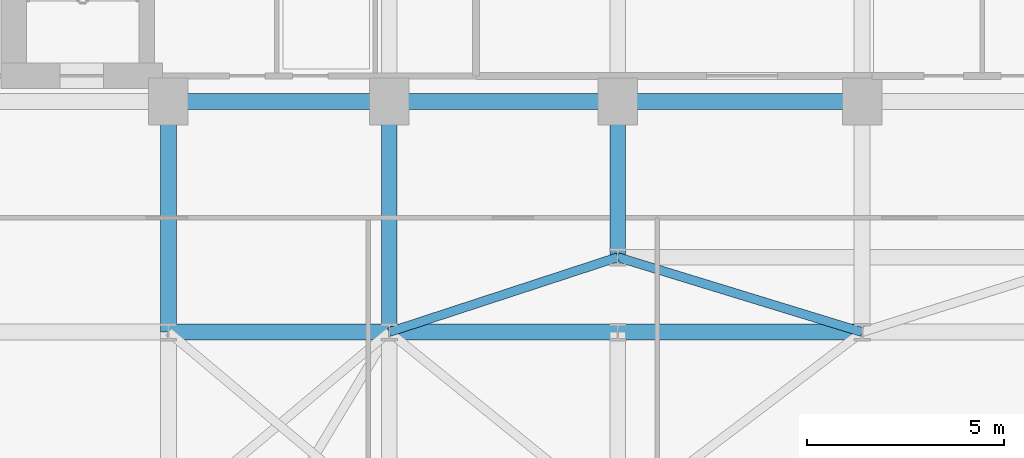
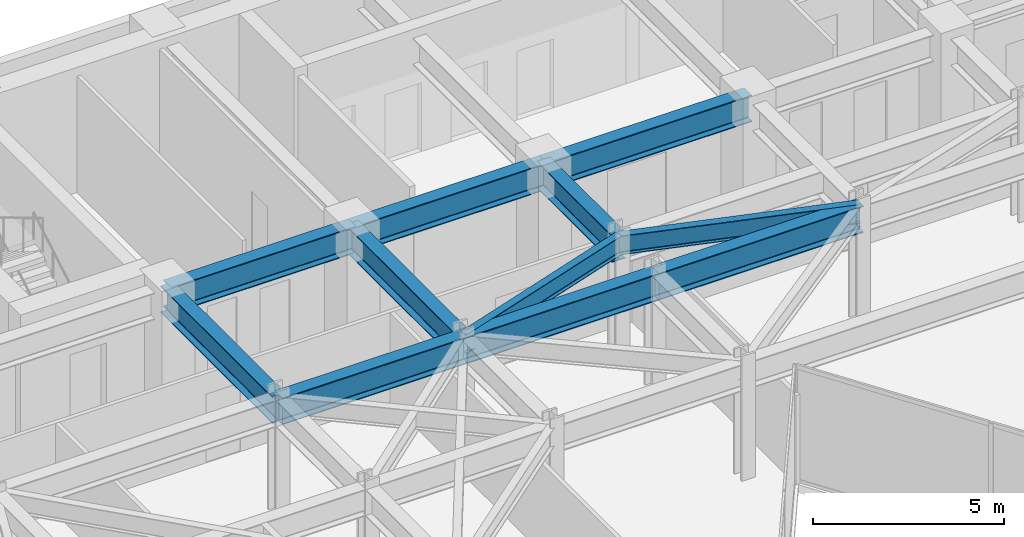
# One storey, part 14 of 26: 11 beams.
"""IFC4 building model written with IfcOpenShell, lengths in metres."""

from ifc_helpers import new_model, si_unit, direction, frame, origin, origin_2d, place, context, subcontext, project, spatial, i_section, extrude, material, material_profile, profile_set, type_object, element, save


model = new_model("IFC4")

# Units and contexts
model_context = context("Model", 3, precision=1e-05, world=origin(), true_north=direction((0.0, 1.0)))
body_context = subcontext(model_context, "Body", "Model", "MODEL_VIEW")
ifc_project = project(units=[si_unit("LENGTHUNIT", "METRE"), si_unit("AREAUNIT", "SQUARE_METRE"), si_unit("VOLUMEUNIT", "CUBIC_METRE"), si_unit("PLANEANGLEUNIT", "RADIAN"), si_unit("MASSUNIT", "GRAM", prefix="KILO")], contexts=[model_context])

# Site, building, storey
site_placement = place(None, origin())
site = spatial("IfcSite", under=ifc_project, at=site_placement, CompositionType="ELEMENT")
building_placement = place(site_placement, origin())
building = spatial("IfcBuilding", under=site, at=building_placement, Name="Kravanh Interchange Tower", CompositionType="ELEMENT")
storey_placement = place(building_placement, frame((0.0, 0.0, 152.0)))
storey = spatial("IfcBuildingStorey", under=building, at=storey_placement, Name="L36", CompositionType="ELEMENT", Elevation=152.0)

# Beams
ifc_material_1 = material(Name="Structural Steel S355", Category="steel")
ifc_material_profile_1 = material_profile(ifc_material_1, i_section(OverallWidth=0.39990234375, OverallDepth=0.85595703125, WebThickness=0.018310546875, FlangeThickness=0.029296875, FilletRadius=0.02490234375, at=origin_2d()), Name="W33X201")
ifc_profile_set_1 = profile_set([ifc_material_profile_1], Name="Structural Steel S355")
beam_type_1 = type_object("IfcBeamType", Name="Floor Beam W33X201 Structural Steel S355", PredefinedType="BEAM", material=ifc_profile_set_1)
beam_1_placement = place(storey_placement, frame((44.800048828125, 37.35009765625, 3.2919921875), z_axis=(-1.0, 0.0, 0.0), x_axis=(0.0, -1.0, 0.0)))
element("IfcBeam", 1, at=beam_1_placement, inside=storey, type_object=beam_type_1, Name="L36 Primary Floor Girder 13", PredefinedType="BEAM", context=body_context, shape_type="SweptSolid", body=[
    extrude(i_section(OverallWidth=0.39990234375, OverallDepth=0.85595703125, WebThickness=0.018310546875, FlangeThickness=0.029296875, FilletRadius=0.02490234375, at=origin_2d()), origin(), (0.0, 0.0, 1.0), 6.199951171875),
])
beam_2_placement = place(storey_placement, frame((38.60009765625, 37.35009765625, 3.2919921875), z_axis=(0.0, -1.0, 0.0), x_axis=(1.0, 0.0, 0.0)))
element("IfcBeam", 2, at=beam_2_placement, inside=storey, type_object=beam_type_1, Name="L36 Primary Floor Girder 16", PredefinedType="BEAM", context=body_context, shape_type="SweptSolid", body=[
    extrude(i_section(OverallWidth=0.39990234375, OverallDepth=0.85595703125, WebThickness=0.018310546875, FlangeThickness=0.029296875, FilletRadius=0.02490234375, at=origin_2d()), origin(), (0.0, 0.0, 1.0), 3.9501953125),
])
beam_3_placement = place(storey_placement, frame((38.60009765625, 37.35009765625, 3.2919921875), z_axis=(-1.0, 0.0, 0.0), x_axis=(0.0, -1.0, 0.0)))
element("IfcBeam", 3, at=beam_3_placement, inside=storey, type_object=beam_type_1, Name="L36 Primary Floor Girder 17", PredefinedType="BEAM", context=body_context, shape_type="SweptSolid", body=[
    extrude(i_section(OverallWidth=0.39990234375, OverallDepth=0.85595703125, WebThickness=0.018310546875, FlangeThickness=0.029296875, FilletRadius=0.02490234375, at=origin_2d()), origin(), (0.0, 0.0, 1.0), 5.800048828125),
])
beam_4_placement = place(storey_placement, frame((32.800048828125, 37.35009765625, 3.2919921875), z_axis=(-1.0, 0.0, 0.0), x_axis=(0.0, -1.0, 0.0)))
element("IfcBeam", 4, at=beam_4_placement, inside=storey, type_object=beam_type_1, Name="L36 Primary Floor Girder 20", PredefinedType="BEAM", context=body_context, shape_type="SweptSolid", body=[
    extrude(i_section(OverallWidth=0.39990234375, OverallDepth=0.85595703125, WebThickness=0.018310546875, FlangeThickness=0.029296875, FilletRadius=0.02490234375, at=origin_2d()), origin(), (0.0, 0.0, 1.0), 5.60009765625),
])
for number, where, z_axis, x_axis, name in (
    (5, (32.800048828125, 37.35009765625, 3.2919921875), (0.0, -1.0, 0.0), (1.0, 0.0, 0.0), "L36 Primary Floor Girder 21"),
    (6, (27.199951171875, 37.35009765625, 3.2919921875), (0.0, -1.0, 0.0), (1.0, 0.0, 0.0), "L36 Primary Floor Girder 24"),
):
    element("IfcBeam", number, at=place(storey_placement, frame(where, z_axis=z_axis, x_axis=x_axis)), inside=storey, type_object=beam_type_1, Name=name, PredefinedType="BEAM", context=body_context, shape_type="SweptSolid", body=[
        extrude(i_section(OverallWidth=0.39990234375, OverallDepth=0.85595703125, WebThickness=0.018310546875, FlangeThickness=0.029296875, FilletRadius=0.02490234375, at=origin_2d()), origin(), (0.0, 0.0, 1.0), 5.85009765625),
    ])
beam_5_placement = place(storey_placement, frame((27.199951171875, 31.5, 3.2919921875), z_axis=(1.0, 0.0, 0.0), x_axis=(0.0, 1.0, 0.0)))
element("IfcBeam", 7, at=beam_5_placement, inside=storey, type_object=beam_type_1, Name="L36 Primary Floor Girder 74", PredefinedType="BEAM", context=body_context, shape_type="SweptSolid", body=[
    extrude(i_section(OverallWidth=0.39990234375, OverallDepth=0.85595703125, WebThickness=0.018310546875, FlangeThickness=0.029296875, FilletRadius=0.02490234375, at=origin_2d()), origin(), (0.0, 0.0, 1.0), 5.60009765625),
])
beam_6_placement = place(storey_placement, frame((32.800048828125, 31.5, 3.2919921875), z_axis=(1.0, 0.0, 0.0), x_axis=(0.0, 1.0, 0.0)))
element("IfcBeam", 8, at=beam_6_placement, inside=storey, type_object=beam_type_1, Name="L36 Primary Floor Girder 78", PredefinedType="BEAM", context=body_context, shape_type="SweptSolid", body=[
    extrude(i_section(OverallWidth=0.39990234375, OverallDepth=0.85595703125, WebThickness=0.018310546875, FlangeThickness=0.029296875, FilletRadius=0.02490234375, at=origin_2d()), origin(), (0.0, 0.0, 1.0), 5.800048828125),
])
beam_7_placement = place(storey_placement, frame((38.60009765625, 31.5, 3.2919921875), z_axis=(1.0, 0.0, 0.0), x_axis=(0.0, 1.0, 0.0)))
element("IfcBeam", 9, at=beam_7_placement, inside=storey, type_object=beam_type_1, Name="L36 Primary Floor Girder 81", PredefinedType="BEAM", context=body_context, shape_type="SweptSolid", body=[
    extrude(i_section(OverallWidth=0.39990234375, OverallDepth=0.85595703125, WebThickness=0.018310546875, FlangeThickness=0.029296875, FilletRadius=0.02490234375, at=origin_2d()), origin(), (0.0, 0.0, 1.0), 6.199951171875),
])
ifc_material_2 = material(Name="Structural Steel S355", Category="steel")
ifc_material_profile_2 = material_profile(ifc_material_2, i_section(OverallWidth=0.22802734375, OverallDepth=0.60791015625, WebThickness=0.01123046875, FlangeThickness=0.017333984375, FilletRadius=0.02197265625, at=origin_2d()), Name="W24X76")
ifc_profile_set_2 = profile_set([ifc_material_profile_2], Name="Structural Steel S355")
beam_type_2 = type_object("IfcBeamType", Name="Floor Spandrel W24X76 Structural Steel S355", PredefinedType="SPANDREL", material=ifc_profile_set_2)
beam_8_placement = place(storey_placement, frame((32.800048828125, 31.5, 3.416015625), z_axis=(0.950314536578, 0.31129131303, 0.0), x_axis=(-0.31129131303, 0.950314536578, 0.0)))
element("IfcBeam", 10, at=beam_8_placement, inside=storey, type_object=beam_type_2, Name="L36 Perimeter Spandrel 79", PredefinedType="SPANDREL", context=body_context, shape_type="SweptSolid", body=[
    extrude(i_section(OverallWidth=0.22802734375, OverallDepth=0.60791015625, WebThickness=0.01123046875, FlangeThickness=0.017333984375, FilletRadius=0.02197265625, at=origin_2d()), origin(), (0.0, 0.0, 1.0), 6.103271484375),
])
beam_9_placement = place(storey_placement, frame((44.800048828125, 31.5, 3.416015625), z_axis=(-0.956115397264, 0.292990353279, 0.0), x_axis=(-0.292990353279, -0.956115397264, 0.0)))
element("IfcBeam", 11, at=beam_9_placement, inside=storey, type_object=beam_type_2, Name="L36 Perimeter Spandrel 85", PredefinedType="SPANDREL", context=body_context, shape_type="SweptSolid", body=[
    extrude(i_section(OverallWidth=0.22802734375, OverallDepth=0.60791015625, WebThickness=0.01123046875, FlangeThickness=0.017333984375, FilletRadius=0.02197265625, at=origin_2d()), origin(), (0.0, 0.0, 1.0), 6.484619140625),
])

save(model, "model.ifc")
